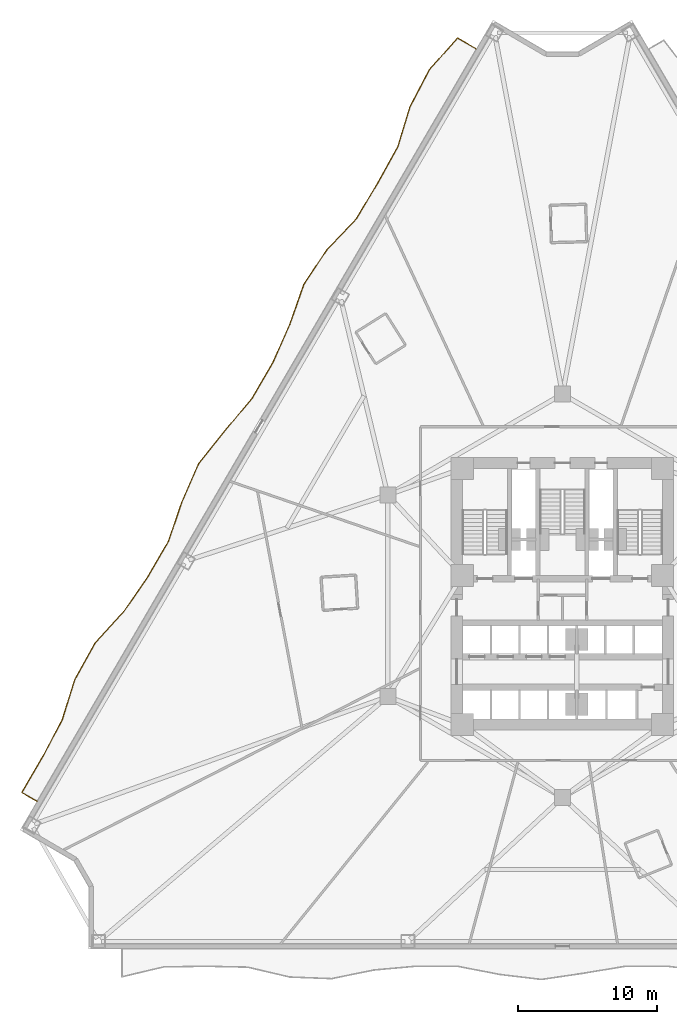
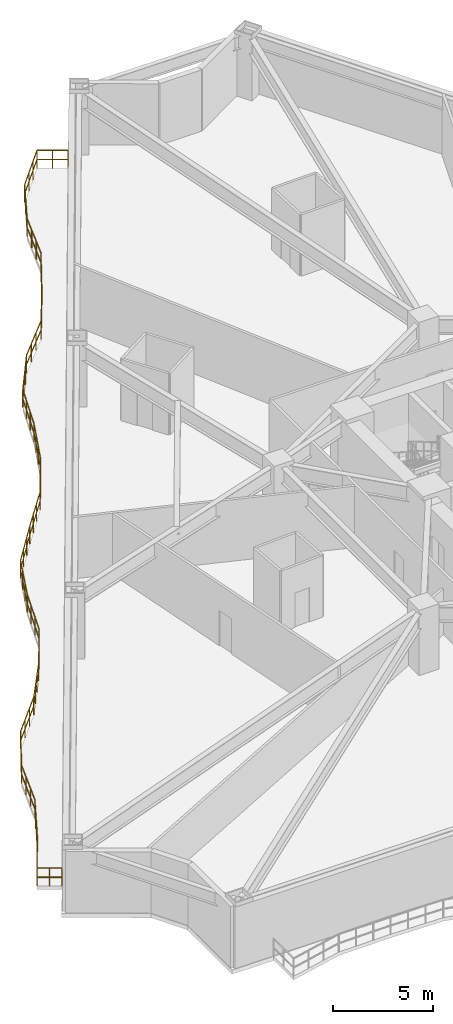
# One storey, part 10 of 12: 1 railing.
"""IFC4 building model written with IfcOpenShell, lengths in metres."""

from ifc_helpers import new_model, si_unit, direction, frame, origin, origin_2d, place, context, subcontext, project, spatial, rectangle, extrude, material, type_object, element, save


model = new_model("IFC4")

# Units and contexts
model_context = context("Model", 3, precision=1e-05, world=origin(), true_north=direction((0.0, 1.0)))
body_context = subcontext(model_context, "Body", "Model", "MODEL_VIEW")
ifc_project = project(units=[si_unit("LENGTHUNIT", "METRE"), si_unit("AREAUNIT", "SQUARE_METRE"), si_unit("VOLUMEUNIT", "CUBIC_METRE"), si_unit("PLANEANGLEUNIT", "RADIAN"), si_unit("MASSUNIT", "GRAM", prefix="KILO")], contexts=[model_context])

# Site, building, storey
site_placement = place(None, origin())
site = spatial("IfcSite", under=ifc_project, at=site_placement, CompositionType="ELEMENT")
building_placement = place(site_placement, origin())
building = spatial("IfcBuilding", under=site, at=building_placement, Name="Apsidion Concourse Tower", CompositionType="ELEMENT")
storey_placement = place(building_placement, frame((0.0, 0.0, 42.39990234375)))
storey = spatial("IfcBuildingStorey", under=building, at=storey_placement, Name="L08", CompositionType="ELEMENT", Elevation=42.39990234375)

# Railing
ifc_material = material(Name="Brushed stainless steel 316", Category="steel")
railing_type = type_object("IfcRailingType", Name="RL-BAL-1120", PredefinedType="BALUSTRADE", material=ifc_material)
railing_placement = place(storey_placement, frame((-37.789306640625, -14.772705078125, 0.0)))
element("IfcRailing", 1, at=railing_placement, inside=storey, type_object=railing_type, Name="L08 Face 1 Rippling Balcony Balustrade", PredefinedType="BALUSTRADE", context=body_context, shape_type="SweptSolid", body=[
    extrude(rectangle(XDim=0.048095703125, YDim=0.048095703125, at=origin_2d()), frame((0.0, 0.0, 1.09619140625), z_axis=(-0.863651366555, 0.504089592283, 0.0), x_axis=(-0.504089592283, -0.863651366555, 0.0)), (0.0, 0.0, 1.0), 1.25),
    extrude(rectangle(XDim=0.048095703125, YDim=0.048095703125, at=origin_2d()), frame((0.0, 0.0, 0.5361328125), z_axis=(-0.863651366555, 0.504089592283, 0.0), x_axis=(-0.504089592283, -0.863651366555, 0.0)), (0.0, 0.0, 1.0), 1.25),
    extrude(rectangle(XDim=0.048095703125, YDim=0.048095703125, at=origin_2d()), frame((-1.07958984375, 0.630126953125, 1.09619140625), z_axis=(0.504252641195, 0.863556178745, 0.0), x_axis=(-0.863556178745, 0.504252641195, 0.0)), (0.0, 0.0, 1.0), 2.98291015625),
    extrude(rectangle(XDim=0.048095703125, YDim=0.048095703125, at=origin_2d()), frame((-1.07958984375, 0.630126953125, 0.5361328125), z_axis=(0.504252641195, 0.863556178745, 0.0), x_axis=(-0.863556178745, 0.504252641195, 0.0)), (0.0, 0.0, 1.0), 2.98291015625),
    extrude(rectangle(XDim=0.048095703125, YDim=0.048095703125, at=origin_2d()), frame((0.424560546875, 3.2060546875, 1.09619140625), z_axis=(0.466245130188, 0.88465557059, 0.0), x_axis=(-0.88465557059, 0.466245130188, 0.0)), (0.0, 0.0, 1.0), 2.98583984375),
    extrude(rectangle(XDim=0.048095703125, YDim=0.048095703125, at=origin_2d()), frame((0.424560546875, 3.2060546875, 0.5361328125), z_axis=(0.466245130188, 0.88465557059, 0.0), x_axis=(-0.88465557059, 0.466245130188, 0.0)), (0.0, 0.0, 1.0), 2.98583984375),
    extrude(rectangle(XDim=0.048095703125, YDim=0.048095703125, at=origin_2d()), frame((1.816650390625, 5.847412109375, 1.09619140625), z_axis=(0.299038118079, 0.954241166548, 0.0), x_axis=(-0.954241166548, 0.299038118079, 0.0)), (0.0, 0.0, 1.0), 3.06005859375),
    extrude(rectangle(XDim=0.048095703125, YDim=0.048095703125, at=origin_2d()), frame((1.816650390625, 5.847412109375, 0.5361328125), z_axis=(0.299038118079, 0.954241166548, 0.0), x_axis=(-0.954241166548, 0.299038118079, 0.0)), (0.0, 0.0, 1.0), 3.06005859375),
    extrude(rectangle(XDim=0.048095703125, YDim=0.048095703125, at=origin_2d()), frame((2.731689453125, 8.767333984375, 1.09619140625), z_axis=(0.487725981563, 0.87299677371, 0.0), x_axis=(-0.87299677371, 0.487725981563, 0.0)), (0.0, 0.0, 1.0), 2.9833984375),
    extrude(rectangle(XDim=0.048095703125, YDim=0.048095703125, at=origin_2d()), frame((2.731689453125, 8.767333984375, 0.5361328125), z_axis=(0.487725981563, 0.87299677371, 0.0), x_axis=(-0.87299677371, 0.487725981563, 0.0)), (0.0, 0.0, 1.0), 2.9833984375),
    extrude(rectangle(XDim=0.048095703125, YDim=0.048095703125, at=origin_2d()), frame((4.186767578125, 11.371826171875, 1.09619140625), z_axis=(0.673656161236, 0.739044908263, 0.0), x_axis=(-0.739044908263, 0.673656161236, 0.0)), (0.0, 0.0, 1.0), 3.050537109375),
    extrude(rectangle(XDim=0.048095703125, YDim=0.048095703125, at=origin_2d()), frame((4.186767578125, 11.371826171875, 0.5361328125), z_axis=(0.673656161236, 0.739044908263, 0.0), x_axis=(-0.739044908263, 0.673656161236, 0.0)), (0.0, 0.0, 1.0), 3.050537109375),
    extrude(rectangle(XDim=0.048095703125, YDim=0.048095703125, at=origin_2d()), frame((6.24169921875, 13.626220703125, 1.09619140625), z_axis=(0.56926514143, 0.822153999414, 0.0), x_axis=(-0.822153999414, 0.56926514143, 0.0)), (0.0, 0.0, 1.0), 2.99169921875),
    extrude(rectangle(XDim=0.048095703125, YDim=0.048095703125, at=origin_2d()), frame((6.24169921875, 13.626220703125, 0.5361328125), z_axis=(0.56926514143, 0.822153999414, 0.0), x_axis=(-0.822153999414, 0.56926514143, 0.0)), (0.0, 0.0, 1.0), 2.99169921875),
    extrude(rectangle(XDim=0.048095703125, YDim=0.048095703125, at=origin_2d()), frame((7.94482421875, 16.0859375, 1.09619140625), z_axis=(0.504155966148, 0.863612622532, 0.0), x_axis=(-0.863612622532, 0.504155966148, 0.0)), (0.0, 0.0, 1.0), 2.98291015625),
    extrude(rectangle(XDim=0.048095703125, YDim=0.048095703125, at=origin_2d()), frame((7.94482421875, 16.0859375, 0.5361328125), z_axis=(0.504155966148, 0.863612622532, 0.0), x_axis=(-0.863612622532, 0.504155966148, 0.0)), (0.0, 0.0, 1.0), 2.98291015625),
    extrude(rectangle(XDim=0.048095703125, YDim=0.048095703125, at=origin_2d()), frame((9.44873046875, 18.662109375, 1.09619140625), z_axis=(0.324016586413, 0.946051400152, 0.0), x_axis=(-0.946051400152, 0.324016586413, 0.0)), (0.0, 0.0, 1.0), 3.04248046875),
    extrude(rectangle(XDim=0.048095703125, YDim=0.048095703125, at=origin_2d()), frame((9.44873046875, 18.662109375, 0.5361328125), z_axis=(0.324016586413, 0.946051400152, 0.0), x_axis=(-0.946051400152, 0.324016586413, 0.0)), (0.0, 0.0, 1.0), 3.04248046875),
    extrude(rectangle(XDim=0.048095703125, YDim=0.048095703125, at=origin_2d()), frame((10.4345703125, 21.54052734375, 1.09619140625), z_axis=(0.400776187897, 0.916175991399, 0.0), x_axis=(-0.916175991399, 0.400776187897, 0.0)), (0.0, 0.0, 1.0), 3.003173828125),
    extrude(rectangle(XDim=0.048095703125, YDim=0.048095703125, at=origin_2d()), frame((10.4345703125, 21.54052734375, 0.5361328125), z_axis=(0.400776187897, 0.916175991399, 0.0), x_axis=(-0.916175991399, 0.400776187897, 0.0)), (0.0, 0.0, 1.0), 3.003173828125),
    extrude(rectangle(XDim=0.048095703125, YDim=0.048095703125, at=origin_2d()), frame((11.63818359375, 24.2919921875, 1.09619140625), z_axis=(0.625869186686, 0.779928048705, 0.0), x_axis=(-0.779928048705, 0.625869186686, 0.0)), (0.0, 0.0, 1.0), 3.015625),
    extrude(rectangle(XDim=0.048095703125, YDim=0.048095703125, at=origin_2d()), frame((11.63818359375, 24.2919921875, 0.5361328125), z_axis=(0.625869186686, 0.779928048705, 0.0), x_axis=(-0.779928048705, 0.625869186686, 0.0)), (0.0, 0.0, 1.0), 3.015625),
    extrude(rectangle(XDim=0.048095703125, YDim=0.048095703125, at=origin_2d()), frame((13.525634765625, 26.64404296875, 1.09619140625), z_axis=(0.641001622662, 0.767539523246, 0.0), x_axis=(-0.767539523246, 0.641001622662, 0.0)), (0.0, 0.0, 1.0), 3.025390625),
    extrude(rectangle(XDim=0.048095703125, YDim=0.048095703125, at=origin_2d()), frame((13.525634765625, 26.64404296875, 0.5361328125), z_axis=(0.641001622662, 0.767539523246, 0.0), x_axis=(-0.767539523246, 0.641001622662, 0.0)), (0.0, 0.0, 1.0), 3.025390625),
    extrude(rectangle(XDim=0.048095703125, YDim=0.048095703125, at=origin_2d()), frame((15.46484375, 28.966064453125, 1.09619140625), z_axis=(0.504191602526, 0.863591817899, 0.0), x_axis=(-0.863591817899, 0.504191602526, 0.0)), (0.0, 0.0, 1.0), 2.98291015625),
    extrude(rectangle(XDim=0.048095703125, YDim=0.048095703125, at=origin_2d()), frame((15.46484375, 28.966064453125, 0.5361328125), z_axis=(0.504191602526, 0.863591817899, 0.0), x_axis=(-0.863591817899, 0.504191602526, 0.0)), (0.0, 0.0, 1.0), 2.98291015625),
    extrude(rectangle(XDim=0.048095703125, YDim=0.048095703125, at=origin_2d()), frame((16.96875, 31.5419921875, 1.09619140625), z_axis=(0.404719238896, 0.914440997368, 0.0), x_axis=(-0.914440997368, 0.404719238896, 0.0)), (0.0, 0.0, 1.0), 3.001708984375),
    extrude(rectangle(XDim=0.048095703125, YDim=0.048095703125, at=origin_2d()), frame((16.96875, 31.5419921875, 0.5361328125), z_axis=(0.404719238896, 0.914440997368, 0.0), x_axis=(-0.914440997368, 0.404719238896, 0.0)), (0.0, 0.0, 1.0), 3.001708984375),
    extrude(rectangle(XDim=0.048095703125, YDim=0.048095703125, at=origin_2d()), frame((18.18359375, 34.286865234375, 1.09619140625), z_axis=(0.33115926216, 0.943574874128, 0.0), x_axis=(-0.943574874128, 0.33115926216, 0.0)), (0.0, 0.0, 1.0), 3.0380859375),
    extrude(rectangle(XDim=0.048095703125, YDim=0.048095703125, at=origin_2d()), frame((18.18359375, 34.286865234375, 0.5361328125), z_axis=(0.33115926216, 0.943574874128, 0.0), x_axis=(-0.943574874128, 0.33115926216, 0.0)), (0.0, 0.0, 1.0), 3.0380859375),
    extrude(rectangle(XDim=0.048095703125, YDim=0.048095703125, at=origin_2d()), frame((19.189697265625, 37.153564453125, 1.09619140625), z_axis=(0.552794181818, 0.833317822051, 0.0), x_axis=(-0.833317822051, 0.552794181818, 0.0)), (0.0, 0.0, 1.0), 2.98779296875),
    extrude(rectangle(XDim=0.048095703125, YDim=0.048095703125, at=origin_2d()), frame((19.189697265625, 37.153564453125, 0.5361328125), z_axis=(0.552794181818, 0.833317822051, 0.0), x_axis=(-0.833317822051, 0.552794181818, 0.0)), (0.0, 0.0, 1.0), 2.98779296875),
    extrude(rectangle(XDim=0.048095703125, YDim=0.048095703125, at=origin_2d()), frame((20.84130859375, 39.643310546875, 1.09619140625), z_axis=(0.690350746284, 0.723474842068, 0.0), x_axis=(-0.723474842068, 0.690350746284, 0.0)), (0.0, 0.0, 1.0), 3.066162109375),
    extrude(rectangle(XDim=0.048095703125, YDim=0.048095703125, at=origin_2d()), frame((20.84130859375, 39.643310546875, 0.5361328125), z_axis=(0.690350746284, 0.723474842068, 0.0), x_axis=(-0.723474842068, 0.690350746284, 0.0)), (0.0, 0.0, 1.0), 3.066162109375),
    extrude(rectangle(XDim=0.048095703125, YDim=0.048095703125, at=origin_2d()), frame((22.9580078125, 41.861572265625, 1.09619140625), z_axis=(0.513219442855, 0.858257422616, 0.0), x_axis=(-0.858257422616, 0.513219442855, 0.0)), (0.0, 0.0, 1.0), 2.983154296875),
    extrude(rectangle(XDim=0.048095703125, YDim=0.048095703125, at=origin_2d()), frame((22.9580078125, 41.861572265625, 0.5361328125), z_axis=(0.513219442855, 0.858257422616, 0.0), x_axis=(-0.858257422616, 0.513219442855, 0.0)), (0.0, 0.0, 1.0), 2.983154296875),
    extrude(rectangle(XDim=0.048095703125, YDim=0.048095703125, at=origin_2d()), frame((24.489013671875, 44.421875, 1.09619140625), z_axis=(0.485740197258, 0.874103232329, 0.0), x_axis=(-0.874103232329, 0.485740197258, 0.0)), (0.0, 0.0, 1.0), 2.983642578125),
    extrude(rectangle(XDim=0.048095703125, YDim=0.048095703125, at=origin_2d()), frame((24.489013671875, 44.421875, 0.5361328125), z_axis=(0.485740197258, 0.874103232329, 0.0), x_axis=(-0.874103232329, 0.485740197258, 0.0)), (0.0, 0.0, 1.0), 2.983642578125),
    extrude(rectangle(XDim=0.048095703125, YDim=0.048095703125, at=origin_2d()), frame((25.938232421875, 47.02978515625, 1.09619140625), z_axis=(0.292854003864, 0.956157169309, 0.0), x_axis=(-0.956157169309, 0.292854003864, 0.0)), (0.0, 0.0, 1.0), 3.064453125),
    extrude(rectangle(XDim=0.048095703125, YDim=0.048095703125, at=origin_2d()), frame((25.938232421875, 47.02978515625, 0.5361328125), z_axis=(0.292854003864, 0.956157169309, 0.0), x_axis=(-0.956157169309, 0.292854003864, 0.0)), (0.0, 0.0, 1.0), 3.064453125),
    extrude(rectangle(XDim=0.048095703125, YDim=0.048095703125, at=origin_2d()), frame((26.835693359375, 49.9599609375, 1.09619140625), z_axis=(0.465240870386, 0.885184123515, 0.0), x_axis=(-0.885184123515, 0.465240870386, 0.0)), (0.0, 0.0, 1.0), 2.98583984375),
    extrude(rectangle(XDim=0.048095703125, YDim=0.048095703125, at=origin_2d()), frame((26.835693359375, 49.9599609375, 0.5361328125), z_axis=(0.465240870386, 0.885184123515, 0.0), x_axis=(-0.885184123515, 0.465240870386, 0.0)), (0.0, 0.0, 1.0), 2.98583984375),
    extrude(rectangle(XDim=0.048095703125, YDim=0.048095703125, at=origin_2d()), frame((28.224853515625, 52.60302734375, 1.09619140625), z_axis=(0.66431402667, 0.747453593188, 0.0), x_axis=(-0.747453593188, 0.66431402667, 0.0)), (0.0, 0.0, 1.0), 3.042236328125),
    extrude(rectangle(XDim=0.048095703125, YDim=0.048095703125, at=origin_2d()), frame((28.224853515625, 52.60302734375, 0.5361328125), z_axis=(0.66431402667, 0.747453593188, 0.0), x_axis=(-0.747453593188, 0.66431402667, 0.0)), (0.0, 0.0, 1.0), 3.042236328125),
    extrude(rectangle(XDim=0.048095703125, YDim=0.048095703125, at=origin_2d()), frame((30.245849609375, 54.876953125, 1.09619140625), z_axis=(0.863601756058, -0.504174579818, 0.0), x_axis=(0.504174579818, 0.863601756058, 0.0)), (0.0, 0.0, 1.0), 1.550048828125),
    extrude(rectangle(XDim=0.048095703125, YDim=0.048095703125, at=origin_2d()), frame((30.245849609375, 54.876953125, 0.5361328125), z_axis=(0.863601756058, -0.504174579818, 0.0), x_axis=(0.504174579818, 0.863601756058, 0.0)), (0.0, 0.0, 1.0), 1.550048828125),
    extrude(rectangle(XDim=0.0419921875, YDim=0.0419921875, at=origin_2d()), origin(), (0.0, 0.0, 1.0), 1.072021484375),
    extrude(rectangle(XDim=0.0419921875, YDim=0.0419921875, at=origin_2d()), frame((-0.539794921875, 0.31494140625, 0.0)), (0.0, 0.0, 1.0), 1.072021484375),
    extrude(rectangle(XDim=0.0419921875, YDim=0.0419921875, at=origin_2d()), frame((-1.07958984375, 0.630126953125, 0.0)), (0.0, 0.0, 1.0), 1.072021484375),
    extrude(rectangle(XDim=0.0419921875, YDim=0.0419921875, at=origin_2d()), frame((-0.578125, 1.48876953125, 0.0)), (0.0, 0.0, 1.0), 1.072021484375),
    extrude(rectangle(XDim=0.0419921875, YDim=0.0419921875, at=origin_2d()), frame((-0.076904296875, 2.347412109375, 0.0)), (0.0, 0.0, 1.0), 1.072021484375),
    extrude(rectangle(XDim=0.0419921875, YDim=0.0419921875, at=origin_2d()), frame((0.424560546875, 3.2060546875, 0.0)), (0.0, 0.0, 1.0), 1.072021484375),
    extrude(rectangle(XDim=0.0419921875, YDim=0.0419921875, at=origin_2d()), frame((0.888671875, 4.08642578125, 0.0)), (0.0, 0.0, 1.0), 1.072021484375),
    extrude(rectangle(XDim=0.0419921875, YDim=0.0419921875, at=origin_2d()), frame((1.3525390625, 4.967041015625, 0.0)), (0.0, 0.0, 1.0), 1.072021484375),
    extrude(rectangle(XDim=0.0419921875, YDim=0.0419921875, at=origin_2d()), frame((1.816650390625, 5.847412109375, 0.0)), (0.0, 0.0, 1.0), 1.072021484375),
    extrude(rectangle(XDim=0.0419921875, YDim=0.0419921875, at=origin_2d()), frame((2.12158203125, 6.82080078125, 0.0)), (0.0, 0.0, 1.0), 1.072021484375),
    extrude(rectangle(XDim=0.0419921875, YDim=0.0419921875, at=origin_2d()), frame((2.4267578125, 7.7939453125, 0.0)), (0.0, 0.0, 1.0), 1.072021484375),
    extrude(rectangle(XDim=0.0419921875, YDim=0.0419921875, at=origin_2d()), frame((2.731689453125, 8.767333984375, 0.0)), (0.0, 0.0, 1.0), 1.072021484375),
    extrude(rectangle(XDim=0.0419921875, YDim=0.0419921875, at=origin_2d()), frame((3.216796875, 9.635498046875, 0.0)), (0.0, 0.0, 1.0), 1.072021484375),
    extrude(rectangle(XDim=0.0419921875, YDim=0.0419921875, at=origin_2d()), frame((3.70166015625, 10.503662109375, 0.0)), (0.0, 0.0, 1.0), 1.072021484375),
    extrude(rectangle(XDim=0.0419921875, YDim=0.0419921875, at=origin_2d()), frame((4.186767578125, 11.371826171875, 0.0)), (0.0, 0.0, 1.0), 1.072021484375),
    extrude(rectangle(XDim=0.0419921875, YDim=0.0419921875, at=origin_2d()), frame((4.871826171875, 12.123291015625, 0.0)), (0.0, 0.0, 1.0), 1.072021484375),
    extrude(rectangle(XDim=0.0419921875, YDim=0.0419921875, at=origin_2d()), frame((5.556640625, 12.874755859375, 0.0)), (0.0, 0.0, 1.0), 1.072021484375),
    extrude(rectangle(XDim=0.0419921875, YDim=0.0419921875, at=origin_2d()), frame((6.24169921875, 13.626220703125, 0.0)), (0.0, 0.0, 1.0), 1.072021484375),
    extrude(rectangle(XDim=0.0419921875, YDim=0.0419921875, at=origin_2d()), frame((6.809326171875, 14.446044921875, 0.0)), (0.0, 0.0, 1.0), 1.072021484375),
    extrude(rectangle(XDim=0.0419921875, YDim=0.0419921875, at=origin_2d()), frame((7.377197265625, 15.26611328125, 0.0)), (0.0, 0.0, 1.0), 1.072021484375),
    extrude(rectangle(XDim=0.0419921875, YDim=0.0419921875, at=origin_2d()), frame((7.94482421875, 16.0859375, 0.0)), (0.0, 0.0, 1.0), 1.072021484375),
    extrude(rectangle(XDim=0.0419921875, YDim=0.0419921875, at=origin_2d()), frame((8.446044921875, 16.944580078125, 0.0)), (0.0, 0.0, 1.0), 1.072021484375),
    extrude(rectangle(XDim=0.0419921875, YDim=0.0419921875, at=origin_2d()), frame((8.947509765625, 17.803466796875, 0.0)), (0.0, 0.0, 1.0), 1.072021484375),
    extrude(rectangle(XDim=0.0419921875, YDim=0.0419921875, at=origin_2d()), frame((9.44873046875, 18.662109375, 0.0)), (0.0, 0.0, 1.0), 1.072021484375),
    extrude(rectangle(XDim=0.0419921875, YDim=0.0419921875, at=origin_2d()), frame((9.77734375, 19.62158203125, 0.0)), (0.0, 0.0, 1.0), 1.072021484375),
    extrude(rectangle(XDim=0.0419921875, YDim=0.0419921875, at=origin_2d()), frame((10.10595703125, 20.5810546875, 0.0)), (0.0, 0.0, 1.0), 1.072021484375),
    extrude(rectangle(XDim=0.0419921875, YDim=0.0419921875, at=origin_2d()), frame((10.4345703125, 21.54052734375, 0.0)), (0.0, 0.0, 1.0), 1.072021484375),
    extrude(rectangle(XDim=0.0419921875, YDim=0.0419921875, at=origin_2d()), frame((10.835693359375, 22.457763671875, 0.0)), (0.0, 0.0, 1.0), 1.072021484375),
    extrude(rectangle(XDim=0.0419921875, YDim=0.0419921875, at=origin_2d()), frame((11.237060546875, 23.374755859375, 0.0)), (0.0, 0.0, 1.0), 1.072021484375),
    extrude(rectangle(XDim=0.0419921875, YDim=0.0419921875, at=origin_2d()), frame((11.63818359375, 24.2919921875, 0.0)), (0.0, 0.0, 1.0), 1.072021484375),
    extrude(rectangle(XDim=0.0419921875, YDim=0.0419921875, at=origin_2d()), frame((12.267333984375, 25.075927734375, 0.0)), (0.0, 0.0, 1.0), 1.072021484375),
    extrude(rectangle(XDim=0.0419921875, YDim=0.0419921875, at=origin_2d()), frame((12.896484375, 25.860107421875, 0.0)), (0.0, 0.0, 1.0), 1.072021484375),
    extrude(rectangle(XDim=0.0419921875, YDim=0.0419921875, at=origin_2d()), frame((13.525634765625, 26.64404296875, 0.0)), (0.0, 0.0, 1.0), 1.072021484375),
    extrude(rectangle(XDim=0.0419921875, YDim=0.0419921875, at=origin_2d()), frame((14.172119140625, 27.41796875, 0.0)), (0.0, 0.0, 1.0), 1.072021484375),
    extrude(rectangle(XDim=0.0419921875, YDim=0.0419921875, at=origin_2d()), frame((14.818359375, 28.192138671875, 0.0)), (0.0, 0.0, 1.0), 1.072021484375),
    extrude(rectangle(XDim=0.0419921875, YDim=0.0419921875, at=origin_2d()), frame((15.46484375, 28.966064453125, 0.0)), (0.0, 0.0, 1.0), 1.072021484375),
    extrude(rectangle(XDim=0.0419921875, YDim=0.0419921875, at=origin_2d()), frame((15.966064453125, 29.82470703125, 0.0)), (0.0, 0.0, 1.0), 1.072021484375),
    extrude(rectangle(XDim=0.0419921875, YDim=0.0419921875, at=origin_2d()), frame((16.467529296875, 30.683349609375, 0.0)), (0.0, 0.0, 1.0), 1.072021484375),
    extrude(rectangle(XDim=0.0419921875, YDim=0.0419921875, at=origin_2d()), frame((16.96875, 31.5419921875, 0.0)), (0.0, 0.0, 1.0), 1.072021484375),
    extrude(rectangle(XDim=0.0419921875, YDim=0.0419921875, at=origin_2d()), frame((17.373779296875, 32.45703125, 0.0)), (0.0, 0.0, 1.0), 1.072021484375),
    extrude(rectangle(XDim=0.0419921875, YDim=0.0419921875, at=origin_2d()), frame((17.778564453125, 33.371826171875, 0.0)), (0.0, 0.0, 1.0), 1.072021484375),
    extrude(rectangle(XDim=0.0419921875, YDim=0.0419921875, at=origin_2d()), frame((18.18359375, 34.286865234375, 0.0)), (0.0, 0.0, 1.0), 1.072021484375),
    extrude(rectangle(XDim=0.0419921875, YDim=0.0419921875, at=origin_2d()), frame((18.51904296875, 35.242431640625, 0.0)), (0.0, 0.0, 1.0), 1.072021484375),
    extrude(rectangle(XDim=0.0419921875, YDim=0.0419921875, at=origin_2d()), frame((18.854248046875, 36.197998046875, 0.0)), (0.0, 0.0, 1.0), 1.072021484375),
    extrude(rectangle(XDim=0.0419921875, YDim=0.0419921875, at=origin_2d()), frame((19.189697265625, 37.153564453125, 0.0)), (0.0, 0.0, 1.0), 1.072021484375),
    extrude(rectangle(XDim=0.0419921875, YDim=0.0419921875, at=origin_2d()), frame((19.740234375, 37.9833984375, 0.0)), (0.0, 0.0, 1.0), 1.072021484375),
    extrude(rectangle(XDim=0.0419921875, YDim=0.0419921875, at=origin_2d()), frame((20.290771484375, 38.8134765625, 0.0)), (0.0, 0.0, 1.0), 1.072021484375),
    extrude(rectangle(XDim=0.0419921875, YDim=0.0419921875, at=origin_2d()), frame((20.84130859375, 39.643310546875, 0.0)), (0.0, 0.0, 1.0), 1.072021484375),
    extrude(rectangle(XDim=0.0419921875, YDim=0.0419921875, at=origin_2d()), frame((21.546875, 40.3828125, 0.0)), (0.0, 0.0, 1.0), 1.072021484375),
    extrude(rectangle(XDim=0.0419921875, YDim=0.0419921875, at=origin_2d()), frame((22.25244140625, 41.1220703125, 0.0)), (0.0, 0.0, 1.0), 1.072021484375),
    extrude(rectangle(XDim=0.0419921875, YDim=0.0419921875, at=origin_2d()), frame((22.9580078125, 41.861572265625, 0.0)), (0.0, 0.0, 1.0), 1.072021484375),
    extrude(rectangle(XDim=0.0419921875, YDim=0.0419921875, at=origin_2d()), frame((23.46826171875, 42.715087890625, 0.0)), (0.0, 0.0, 1.0), 1.072021484375),
    extrude(rectangle(XDim=0.0419921875, YDim=0.0419921875, at=origin_2d()), frame((23.978759765625, 43.568359375, 0.0)), (0.0, 0.0, 1.0), 1.072021484375),
    extrude(rectangle(XDim=0.0419921875, YDim=0.0419921875, at=origin_2d()), frame((24.489013671875, 44.421875, 0.0)), (0.0, 0.0, 1.0), 1.072021484375),
    extrude(rectangle(XDim=0.0419921875, YDim=0.0419921875, at=origin_2d()), frame((24.97216796875, 45.291259765625, 0.0)), (0.0, 0.0, 1.0), 1.072021484375),
    extrude(rectangle(XDim=0.0419921875, YDim=0.0419921875, at=origin_2d()), frame((25.455078125, 46.160400390625, 0.0)), (0.0, 0.0, 1.0), 1.072021484375),
    extrude(rectangle(XDim=0.0419921875, YDim=0.0419921875, at=origin_2d()), frame((25.938232421875, 47.02978515625, 0.0)), (0.0, 0.0, 1.0), 1.072021484375),
    extrude(rectangle(XDim=0.0419921875, YDim=0.0419921875, at=origin_2d()), frame((26.2373046875, 48.006591796875, 0.0)), (0.0, 0.0, 1.0), 1.072021484375),
    extrude(rectangle(XDim=0.0419921875, YDim=0.0419921875, at=origin_2d()), frame((26.53662109375, 48.983154296875, 0.0)), (0.0, 0.0, 1.0), 1.072021484375),
    extrude(rectangle(XDim=0.0419921875, YDim=0.0419921875, at=origin_2d()), frame((26.835693359375, 49.9599609375, 0.0)), (0.0, 0.0, 1.0), 1.072021484375),
    extrude(rectangle(XDim=0.0419921875, YDim=0.0419921875, at=origin_2d()), frame((27.298828125, 50.841064453125, 0.0)), (0.0, 0.0, 1.0), 1.072021484375),
    extrude(rectangle(XDim=0.0419921875, YDim=0.0419921875, at=origin_2d()), frame((27.76171875, 51.721923828125, 0.0)), (0.0, 0.0, 1.0), 1.072021484375),
    extrude(rectangle(XDim=0.0419921875, YDim=0.0419921875, at=origin_2d()), frame((28.224853515625, 52.60302734375, 0.0)), (0.0, 0.0, 1.0), 1.072021484375),
    extrude(rectangle(XDim=0.0419921875, YDim=0.0419921875, at=origin_2d()), frame((28.8984375, 53.361083984375, 0.0)), (0.0, 0.0, 1.0), 1.072021484375),
    extrude(rectangle(XDim=0.0419921875, YDim=0.0419921875, at=origin_2d()), frame((29.572265625, 54.118896484375, 0.0)), (0.0, 0.0, 1.0), 1.072021484375),
    extrude(rectangle(XDim=0.0419921875, YDim=0.0419921875, at=origin_2d()), frame((30.245849609375, 54.876953125, 0.0)), (0.0, 0.0, 1.0), 1.072021484375),
    extrude(rectangle(XDim=0.0419921875, YDim=0.0419921875, at=origin_2d()), frame((30.9150390625, 54.486328125, 0.0)), (0.0, 0.0, 1.0), 1.072021484375),
    extrude(rectangle(XDim=0.0419921875, YDim=0.0419921875, at=origin_2d()), frame((31.58447265625, 54.095458984375, 0.0)), (0.0, 0.0, 1.0), 1.072021484375),
])

save(model, "model.ifc")
